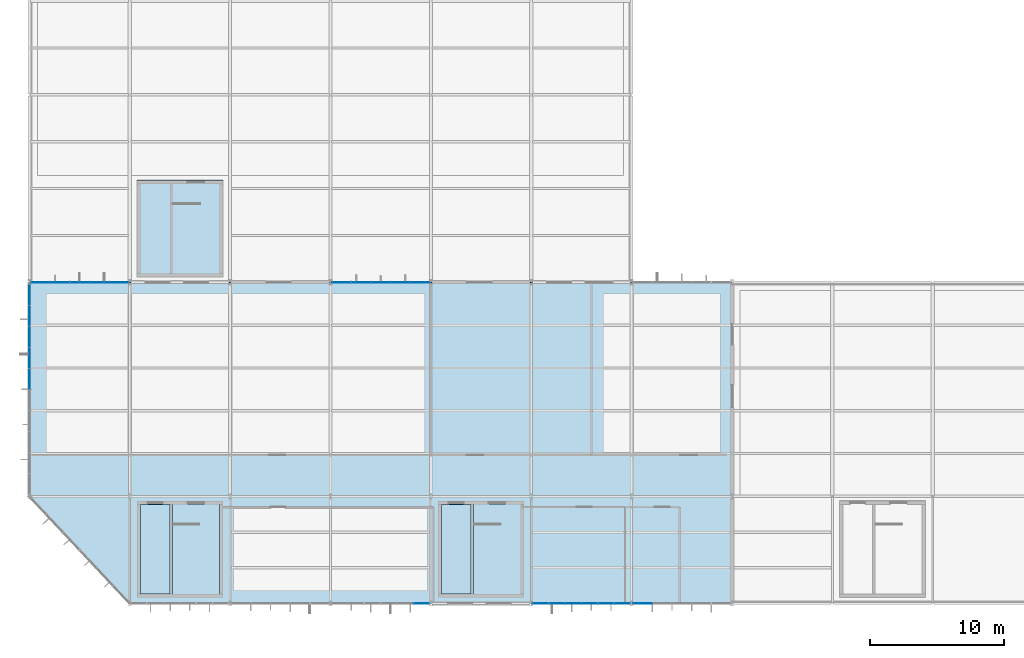
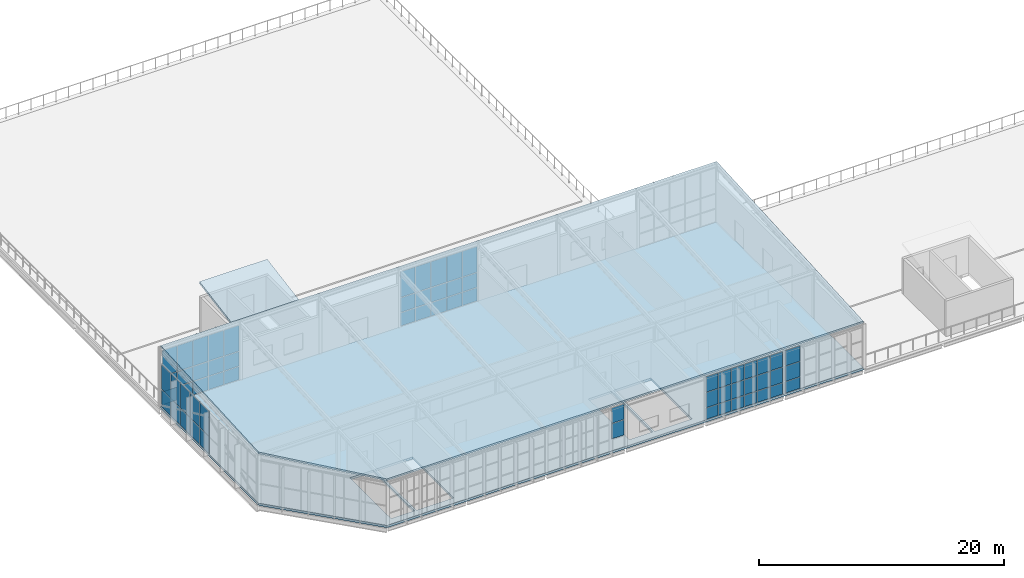
# One storey, part 85 of 104: 63 plates, 3 slabs, 6 elements without a shape of their own.
"""IFC4 building model written with IfcOpenShell, lengths in metres."""

from ifc_helpers import new_model, si_unit, direction, frame, origin, origin_2d, place, context, subcontext, project, spatial, polyline, rectangle, outline, extrude, material, layer, layer_set, type_object, element, aggregate, save


model = new_model("IFC4")

# Units and contexts
model_context = context("Model", 3, precision=1e-05, world=origin(), true_north=direction((0.0, 1.0)))
body_context = subcontext(model_context, "Body", "Model", "MODEL_VIEW")
ifc_project = project(units=[si_unit("LENGTHUNIT", "METRE"), si_unit("AREAUNIT", "SQUARE_METRE"), si_unit("VOLUMEUNIT", "CUBIC_METRE"), si_unit("PLANEANGLEUNIT", "RADIAN"), si_unit("MASSUNIT", "GRAM", prefix="KILO")], contexts=[model_context])

# Site, building, storey
site_placement = place(None, origin())
site = spatial("IfcSite", under=ifc_project, at=site_placement, CompositionType="ELEMENT")
building_placement = place(site_placement, origin())
building = spatial("IfcBuilding", under=site, at=building_placement, Name="Solvenia Promenade Tram Depot", CompositionType="ELEMENT")
storey_placement = place(building_placement, frame((0.0, 0.0, 9.0)))
storey = spatial("IfcBuildingStorey", under=building, at=storey_placement, Name="L02", CompositionType="ELEMENT", Elevation=9.0)

# Curtain wall, plates
ifc_material_1 = material(Name="Anodized aluminium AW-6063 T6", Category="aluminium")
ifc_layer_1 = layer(ifc_material_1, 0.14990234375, Name="Anodized aluminium AW-6063 T6", Category="aluminium")
ifc_layer_set_1 = layer_set([ifc_layer_1], Name="Anodized aluminium AW-6063 T6")
curtain_wall_type_1 = type_object("IfcCurtainWallType", Name="CW-Court-1500", PredefinedType="NOTDEFINED", material=ifc_layer_set_1)
curtain_wall_1_placement = place(storey_placement, origin())
curtain_wall_1 = element("IfcCurtainWall", 1, at=curtain_wall_1_placement, inside=storey, type_object=curtain_wall_type_1, Name="Curtain Wall CW-V4N-L02-01", PredefinedType="NOTDEFINED")
ifc_material_2 = material(Name="Double low-e argon insulated glass", Category="glass")
ifc_layer_2 = layer(ifc_material_2, 0.031982421875, Name="Double low-e argon insulated glass", Category="glass")
ifc_layer_set_2 = layer_set([ifc_layer_2], Name="Double low-e argon insulated glass")
plate_type_1 = type_object("IfcPlateType", Name="CWP-Panel-2", PredefinedType="CURTAIN_PANEL", material=ifc_layer_set_2)
plate_1_placement = place(storey_placement, frame((0.826416015625, 24.0, 0.06494140625), z_axis=(0.0, 0.0, 1.0), x_axis=(1.0, 0.0, 0.0)))
plate_1 = element("IfcPlate", 2, at=plate_1_placement, type_object=plate_type_1, Name="CW-5 panel 1.1", PredefinedType="CURTAIN_PANEL", context=body_context, shape_type="SweptSolid", body=[
    extrude(rectangle(XDim=1.39306640625, YDim=0.031982421875, at=origin_2d()), origin(), (0.0, 0.0, 1.0), 1.302490234375),
])
plate_2_placement = place(storey_placement, frame((0.826416015625, 24.0, 1.432373046875), z_axis=(0.0, 0.0, 1.0), x_axis=(1.0, 0.0, 0.0)))
plate_2 = element("IfcPlate", 3, at=plate_2_placement, type_object=plate_type_1, Name="CW-5 panel 1.2", PredefinedType="CURTAIN_PANEL", context=body_context, shape_type="SweptSolid", body=[
    extrude(rectangle(XDim=1.39306640625, YDim=0.031982421875, at=origin_2d()), origin(), (0.0, 0.0, 1.0), 1.43505859375),
])
plate_3_placement = place(storey_placement, frame((0.826416015625, 24.0, 2.9326171875), z_axis=(0.0, 0.0, 1.0), x_axis=(1.0, 0.0, 0.0)))
plate_3 = element("IfcPlate", 4, at=plate_3_placement, type_object=plate_type_1, Name="CW-5 panel 1.3", PredefinedType="CURTAIN_PANEL", context=body_context, shape_type="SweptSolid", body=[
    extrude(rectangle(XDim=1.39306640625, YDim=0.031982421875, at=origin_2d()), origin(), (0.0, 0.0, 1.0), 2.552490234375),
])
plate_4_placement = place(storey_placement, frame((2.281982421875, 24.0, 0.06494140625), z_axis=(0.0, 0.0, 1.0), x_axis=(1.0, 0.0, 0.0)))
plate_4 = element("IfcPlate", 5, at=plate_4_placement, type_object=plate_type_1, Name="CW-5 panel 2.1", PredefinedType="CURTAIN_PANEL", context=body_context, shape_type="SweptSolid", body=[
    extrude(rectangle(XDim=1.41796875, YDim=0.031982421875, at=origin_2d()), origin(), (0.0, 0.0, 1.0), 1.302490234375),
])
plate_5_placement = place(storey_placement, frame((2.281982421875, 24.0, 1.432373046875), z_axis=(0.0, 0.0, 1.0), x_axis=(1.0, 0.0, 0.0)))
plate_5 = element("IfcPlate", 6, at=plate_5_placement, type_object=plate_type_1, Name="CW-5 panel 2.2", PredefinedType="CURTAIN_PANEL", context=body_context, shape_type="SweptSolid", body=[
    extrude(rectangle(XDim=1.41796875, YDim=0.031982421875, at=origin_2d()), origin(), (0.0, 0.0, 1.0), 1.43505859375),
])
plate_6_placement = place(storey_placement, frame((2.281982421875, 24.0, 2.9326171875), z_axis=(0.0, 0.0, 1.0), x_axis=(1.0, 0.0, 0.0)))
plate_6 = element("IfcPlate", 7, at=plate_6_placement, type_object=plate_type_1, Name="CW-5 panel 2.3", PredefinedType="CURTAIN_PANEL", context=body_context, shape_type="SweptSolid", body=[
    extrude(rectangle(XDim=1.41796875, YDim=0.031982421875, at=origin_2d()), origin(), (0.0, 0.0, 1.0), 2.552490234375),
])
plate_7_placement = place(storey_placement, frame((3.75, 24.0, 0.06494140625), z_axis=(0.0, 0.0, 1.0), x_axis=(1.0, 0.0, 0.0)))
plate_7 = element("IfcPlate", 8, at=plate_7_placement, type_object=plate_type_1, Name="CW-5 panel 3.1", PredefinedType="CURTAIN_PANEL", context=body_context, shape_type="SweptSolid", body=[
    extrude(rectangle(XDim=1.41796875, YDim=0.031982421875, at=origin_2d()), origin(), (0.0, 0.0, 1.0), 1.302490234375),
])
plate_8_placement = place(storey_placement, frame((3.75, 24.0, 1.432373046875), z_axis=(0.0, 0.0, 1.0), x_axis=(1.0, 0.0, 0.0)))
plate_8 = element("IfcPlate", 9, at=plate_8_placement, type_object=plate_type_1, Name="CW-5 panel 3.2", PredefinedType="CURTAIN_PANEL", context=body_context, shape_type="SweptSolid", body=[
    extrude(rectangle(XDim=1.41796875, YDim=0.031982421875, at=origin_2d()), origin(), (0.0, 0.0, 1.0), 1.43505859375),
])
plate_9_placement = place(storey_placement, frame((3.75, 24.0, 2.9326171875), z_axis=(0.0, 0.0, 1.0), x_axis=(1.0, 0.0, 0.0)))
plate_9 = element("IfcPlate", 10, at=plate_9_placement, type_object=plate_type_1, Name="CW-5 panel 3.3", PredefinedType="CURTAIN_PANEL", context=body_context, shape_type="SweptSolid", body=[
    extrude(rectangle(XDim=1.41796875, YDim=0.031982421875, at=origin_2d()), origin(), (0.0, 0.0, 1.0), 2.552490234375),
])
plate_10_placement = place(storey_placement, frame((5.218017578125, 24.0, 0.06494140625), z_axis=(0.0, 0.0, 1.0), x_axis=(1.0, 0.0, 0.0)))
plate_10 = element("IfcPlate", 11, at=plate_10_placement, type_object=plate_type_1, Name="CW-5 panel 4.1", PredefinedType="CURTAIN_PANEL", context=body_context, shape_type="SweptSolid", body=[
    extrude(rectangle(XDim=1.41796875, YDim=0.031982421875, at=origin_2d()), origin(), (0.0, 0.0, 1.0), 1.302490234375),
])
plate_11_placement = place(storey_placement, frame((5.218017578125, 24.0, 1.432373046875), z_axis=(0.0, 0.0, 1.0), x_axis=(1.0, 0.0, 0.0)))
plate_11 = element("IfcPlate", 12, at=plate_11_placement, type_object=plate_type_1, Name="CW-5 panel 4.2", PredefinedType="CURTAIN_PANEL", context=body_context, shape_type="SweptSolid", body=[
    extrude(rectangle(XDim=1.41796875, YDim=0.031982421875, at=origin_2d()), origin(), (0.0, 0.0, 1.0), 1.43505859375),
])
plate_12_placement = place(storey_placement, frame((5.218017578125, 24.0, 2.9326171875), z_axis=(0.0, 0.0, 1.0), x_axis=(1.0, 0.0, 0.0)))
plate_12 = element("IfcPlate", 13, at=plate_12_placement, type_object=plate_type_1, Name="CW-5 panel 4.3", PredefinedType="CURTAIN_PANEL", context=body_context, shape_type="SweptSolid", body=[
    extrude(rectangle(XDim=1.41796875, YDim=0.031982421875, at=origin_2d()), origin(), (0.0, 0.0, 1.0), 2.552490234375),
])
plate_13_placement = place(storey_placement, frame((6.673583984375, 24.0, 0.06494140625), z_axis=(0.0, 0.0, 1.0), x_axis=(1.0, 0.0, 0.0)))
plate_13 = element("IfcPlate", 14, at=plate_13_placement, type_object=plate_type_1, Name="CW-5 panel 5.1", PredefinedType="CURTAIN_PANEL", context=body_context, shape_type="SweptSolid", body=[
    extrude(rectangle(XDim=1.39306640625, YDim=0.031982421875, at=origin_2d()), origin(), (0.0, 0.0, 1.0), 1.302490234375),
])
plate_14_placement = place(storey_placement, frame((6.673583984375, 24.0, 1.432373046875), z_axis=(0.0, 0.0, 1.0), x_axis=(1.0, 0.0, 0.0)))
plate_14 = element("IfcPlate", 15, at=plate_14_placement, type_object=plate_type_1, Name="CW-5 panel 5.2", PredefinedType="CURTAIN_PANEL", context=body_context, shape_type="SweptSolid", body=[
    extrude(rectangle(XDim=1.39306640625, YDim=0.031982421875, at=origin_2d()), origin(), (0.0, 0.0, 1.0), 1.43505859375),
])
plate_15_placement = place(storey_placement, frame((6.673583984375, 24.0, 2.9326171875), z_axis=(0.0, 0.0, 1.0), x_axis=(1.0, 0.0, 0.0)))
plate_15 = element("IfcPlate", 16, at=plate_15_placement, type_object=plate_type_1, Name="CW-5 panel 5.3", PredefinedType="CURTAIN_PANEL", context=body_context, shape_type="SweptSolid", body=[
    extrude(rectangle(XDim=1.39306640625, YDim=0.031982421875, at=origin_2d()), origin(), (0.0, 0.0, 1.0), 2.552490234375),
])
aggregate(curtain_wall_1, [plate_1, plate_2, plate_3, plate_4, plate_5, plate_6, plate_7, plate_8, plate_9, plate_10, plate_11, plate_12, plate_13, plate_14, plate_15])

curtain_wall_2_placement = place(storey_placement, origin())
curtain_wall_2 = element("IfcCurtainWall", 17, at=curtain_wall_2_placement, inside=storey, type_object=curtain_wall_type_1, Name="Curtain Wall CW-V4N-L02-04", PredefinedType="NOTDEFINED")
plate_16_placement = place(storey_placement, frame((23.326416015625, 24.0, 0.06494140625), z_axis=(0.0, 0.0, 1.0), x_axis=(1.0, 0.0, 0.0)))
plate_16 = element("IfcPlate", 18, at=plate_16_placement, type_object=plate_type_1, Name="CW-5 panel 1.1", PredefinedType="CURTAIN_PANEL", context=body_context, shape_type="SweptSolid", body=[
    extrude(rectangle(XDim=1.39306640625, YDim=0.031982421875, at=origin_2d()), origin(), (0.0, 0.0, 1.0), 1.302490234375),
])
plate_17_placement = place(storey_placement, frame((23.326416015625, 24.0, 1.432373046875), z_axis=(0.0, 0.0, 1.0), x_axis=(1.0, 0.0, 0.0)))
plate_17 = element("IfcPlate", 19, at=plate_17_placement, type_object=plate_type_1, Name="CW-5 panel 1.2", PredefinedType="CURTAIN_PANEL", context=body_context, shape_type="SweptSolid", body=[
    extrude(rectangle(XDim=1.39306640625, YDim=0.031982421875, at=origin_2d()), origin(), (0.0, 0.0, 1.0), 1.43505859375),
])
plate_18_placement = place(storey_placement, frame((23.326416015625, 24.0, 2.9326171875), z_axis=(0.0, 0.0, 1.0), x_axis=(1.0, 0.0, 0.0)))
plate_18 = element("IfcPlate", 20, at=plate_18_placement, type_object=plate_type_1, Name="CW-5 panel 1.3", PredefinedType="CURTAIN_PANEL", context=body_context, shape_type="SweptSolid", body=[
    extrude(rectangle(XDim=1.39306640625, YDim=0.031982421875, at=origin_2d()), origin(), (0.0, 0.0, 1.0), 2.552490234375),
])
plate_19_placement = place(storey_placement, frame((24.781982421875, 24.0, 0.06494140625), z_axis=(0.0, 0.0, 1.0), x_axis=(1.0, 0.0, 0.0)))
plate_19 = element("IfcPlate", 21, at=plate_19_placement, type_object=plate_type_1, Name="CW-5 panel 2.1", PredefinedType="CURTAIN_PANEL", context=body_context, shape_type="SweptSolid", body=[
    extrude(rectangle(XDim=1.41796875, YDim=0.031982421875, at=origin_2d()), origin(), (0.0, 0.0, 1.0), 1.302490234375),
])
plate_20_placement = place(storey_placement, frame((24.781982421875, 24.0, 1.432373046875), z_axis=(0.0, 0.0, 1.0), x_axis=(1.0, 0.0, 0.0)))
plate_20 = element("IfcPlate", 22, at=plate_20_placement, type_object=plate_type_1, Name="CW-5 panel 2.2", PredefinedType="CURTAIN_PANEL", context=body_context, shape_type="SweptSolid", body=[
    extrude(rectangle(XDim=1.41796875, YDim=0.031982421875, at=origin_2d()), origin(), (0.0, 0.0, 1.0), 1.43505859375),
])
plate_21_placement = place(storey_placement, frame((24.781982421875, 24.0, 2.9326171875), z_axis=(0.0, 0.0, 1.0), x_axis=(1.0, 0.0, 0.0)))
plate_21 = element("IfcPlate", 23, at=plate_21_placement, type_object=plate_type_1, Name="CW-5 panel 2.3", PredefinedType="CURTAIN_PANEL", context=body_context, shape_type="SweptSolid", body=[
    extrude(rectangle(XDim=1.41796875, YDim=0.031982421875, at=origin_2d()), origin(), (0.0, 0.0, 1.0), 2.552490234375),
])
plate_22_placement = place(storey_placement, frame((26.25, 24.0, 0.06494140625), z_axis=(0.0, 0.0, 1.0), x_axis=(1.0, 0.0, 0.0)))
plate_22 = element("IfcPlate", 24, at=plate_22_placement, type_object=plate_type_1, Name="CW-5 panel 3.1", PredefinedType="CURTAIN_PANEL", context=body_context, shape_type="SweptSolid", body=[
    extrude(rectangle(XDim=1.41796875, YDim=0.031982421875, at=origin_2d()), origin(), (0.0, 0.0, 1.0), 1.302490234375),
])
plate_23_placement = place(storey_placement, frame((26.25, 24.0, 1.432373046875), z_axis=(0.0, 0.0, 1.0), x_axis=(1.0, 0.0, 0.0)))
plate_23 = element("IfcPlate", 25, at=plate_23_placement, type_object=plate_type_1, Name="CW-5 panel 3.2", PredefinedType="CURTAIN_PANEL", context=body_context, shape_type="SweptSolid", body=[
    extrude(rectangle(XDim=1.41796875, YDim=0.031982421875, at=origin_2d()), origin(), (0.0, 0.0, 1.0), 1.43505859375),
])
plate_24_placement = place(storey_placement, frame((26.25, 24.0, 2.9326171875), z_axis=(0.0, 0.0, 1.0), x_axis=(1.0, 0.0, 0.0)))
plate_24 = element("IfcPlate", 26, at=plate_24_placement, type_object=plate_type_1, Name="CW-5 panel 3.3", PredefinedType="CURTAIN_PANEL", context=body_context, shape_type="SweptSolid", body=[
    extrude(rectangle(XDim=1.41796875, YDim=0.031982421875, at=origin_2d()), origin(), (0.0, 0.0, 1.0), 2.552490234375),
])
plate_25_placement = place(storey_placement, frame((27.718017578125, 24.0, 0.06494140625), z_axis=(0.0, 0.0, 1.0), x_axis=(1.0, 0.0, 0.0)))
plate_25 = element("IfcPlate", 27, at=plate_25_placement, type_object=plate_type_1, Name="CW-5 panel 4.1", PredefinedType="CURTAIN_PANEL", context=body_context, shape_type="SweptSolid", body=[
    extrude(rectangle(XDim=1.41796875, YDim=0.031982421875, at=origin_2d()), origin(), (0.0, 0.0, 1.0), 1.302490234375),
])
plate_26_placement = place(storey_placement, frame((27.718017578125, 24.0, 1.432373046875), z_axis=(0.0, 0.0, 1.0), x_axis=(1.0, 0.0, 0.0)))
plate_26 = element("IfcPlate", 28, at=plate_26_placement, type_object=plate_type_1, Name="CW-5 panel 4.2", PredefinedType="CURTAIN_PANEL", context=body_context, shape_type="SweptSolid", body=[
    extrude(rectangle(XDim=1.41796875, YDim=0.031982421875, at=origin_2d()), origin(), (0.0, 0.0, 1.0), 1.43505859375),
])
plate_27_placement = place(storey_placement, frame((27.718017578125, 24.0, 2.9326171875), z_axis=(0.0, 0.0, 1.0), x_axis=(1.0, 0.0, 0.0)))
plate_27 = element("IfcPlate", 29, at=plate_27_placement, type_object=plate_type_1, Name="CW-5 panel 4.3", PredefinedType="CURTAIN_PANEL", context=body_context, shape_type="SweptSolid", body=[
    extrude(rectangle(XDim=1.41796875, YDim=0.031982421875, at=origin_2d()), origin(), (0.0, 0.0, 1.0), 2.552490234375),
])
plate_28_placement = place(storey_placement, frame((29.173583984375, 24.0, 0.06494140625), z_axis=(0.0, 0.0, 1.0), x_axis=(1.0, 0.0, 0.0)))
plate_28 = element("IfcPlate", 30, at=plate_28_placement, type_object=plate_type_1, Name="CW-5 panel 5.1", PredefinedType="CURTAIN_PANEL", context=body_context, shape_type="SweptSolid", body=[
    extrude(rectangle(XDim=1.39306640625, YDim=0.031982421875, at=origin_2d()), origin(), (0.0, 0.0, 1.0), 1.302490234375),
])
plate_29_placement = place(storey_placement, frame((29.173583984375, 24.0, 1.432373046875), z_axis=(0.0, 0.0, 1.0), x_axis=(1.0, 0.0, 0.0)))
plate_29 = element("IfcPlate", 31, at=plate_29_placement, type_object=plate_type_1, Name="CW-5 panel 5.2", PredefinedType="CURTAIN_PANEL", context=body_context, shape_type="SweptSolid", body=[
    extrude(rectangle(XDim=1.39306640625, YDim=0.031982421875, at=origin_2d()), origin(), (0.0, 0.0, 1.0), 1.43505859375),
])
plate_30_placement = place(storey_placement, frame((29.173583984375, 24.0, 2.9326171875), z_axis=(0.0, 0.0, 1.0), x_axis=(1.0, 0.0, 0.0)))
plate_30 = element("IfcPlate", 32, at=plate_30_placement, type_object=plate_type_1, Name="CW-5 panel 5.3", PredefinedType="CURTAIN_PANEL", context=body_context, shape_type="SweptSolid", body=[
    extrude(rectangle(XDim=1.39306640625, YDim=0.031982421875, at=origin_2d()), origin(), (0.0, 0.0, 1.0), 2.552490234375),
])
aggregate(curtain_wall_2, [plate_16, plate_17, plate_18, plate_19, plate_20, plate_21, plate_22, plate_23, plate_24, plate_25, plate_26, plate_27, plate_28, plate_29, plate_30])

ifc_layer_3 = layer(ifc_material_1, 0.179931640625, Name="Anodized aluminium AW-6063 T6", Category="aluminium")
ifc_layer_set_3 = layer_set([ifc_layer_3], Name="Anodized aluminium AW-6063 T6")
curtain_wall_type_2 = type_object("IfcCurtainWallType", Name="CW-Solar-1250", PredefinedType="NOTDEFINED", material=ifc_layer_set_3)
curtain_wall_3_placement = place(storey_placement, origin())
curtain_wall_3 = element("IfcCurtainWall", 33, at=curtain_wall_3_placement, inside=storey, type_object=curtain_wall_type_2, Name="Curtain Wall CW-V4S-L02-03", PredefinedType="NOTDEFINED")
ifc_layer_4 = layer(ifc_material_2, 0.035888671875, Name="Double low-e argon insulated glass", Category="glass")
ifc_layer_set_4 = layer_set([ifc_layer_4], Name="Double low-e argon insulated glass")
plate_type_2 = type_object("IfcPlateType", Name="CWP-Panel-3", PredefinedType="CURTAIN_PANEL", material=ifc_layer_set_4)
plate_31_placement = place(storey_placement, frame((29.29638671875, 0.0, 1.22900390625), z_axis=(0.0, 0.0, 1.0), x_axis=(1.0, 0.0, 0.0)))
plate_31 = element("IfcPlate", 34, at=plate_31_placement, type_object=plate_type_2, Name="CW-6 panel 6.2", PredefinedType="CURTAIN_PANEL", context=body_context, shape_type="SweptSolid", body=[
    extrude(rectangle(XDim=1.1513671875, YDim=0.035888671875, at=origin_2d()), origin(), (0.0, 0.0, 1.0), 1.491943359375),
])
plate_32_placement = place(storey_placement, frame((29.29638671875, 0.0, 2.77880859375), z_axis=(0.0, 0.0, 1.0), x_axis=(1.0, 0.0, 0.0)))
plate_32 = element("IfcPlate", 35, at=plate_32_placement, type_object=plate_type_2, Name="CW-6 panel 6.3", PredefinedType="CURTAIN_PANEL", context=body_context, shape_type="SweptSolid", body=[
    extrude(rectangle(XDim=1.1513671875, YDim=0.035888671875, at=origin_2d()), origin(), (0.0, 0.0, 1.0), 1.512939453125),
])
aggregate(curtain_wall_3, [plate_31, plate_32])

curtain_wall_4_placement = place(storey_placement, origin())
curtain_wall_4 = element("IfcCurtainWall", 36, at=curtain_wall_4_placement, inside=storey, type_object=curtain_wall_type_2, Name="Curtain Wall CW-V4S-L02-05", PredefinedType="NOTDEFINED")
plate_33_placement = place(storey_placement, frame((38.20361328125, 0.0, 0.05810546875), z_axis=(0.0, 0.0, 1.0), x_axis=(1.0, 0.0, 0.0)))
plate_33 = element("IfcPlate", 37, at=plate_33_placement, type_object=plate_type_2, Name="CW-6 panel 1.1", PredefinedType="CURTAIN_PANEL", context=body_context, shape_type="SweptSolid", body=[
    extrude(rectangle(XDim=1.1513671875, YDim=0.035888671875, at=origin_2d()), origin(), (0.0, 0.0, 1.0), 1.113037109375),
])
plate_34_placement = place(storey_placement, frame((38.20361328125, 0.0, 1.22900390625), z_axis=(0.0, 0.0, 1.0), x_axis=(1.0, 0.0, 0.0)))
plate_34 = element("IfcPlate", 38, at=plate_34_placement, type_object=plate_type_2, Name="CW-6 panel 1.2", PredefinedType="CURTAIN_PANEL", context=body_context, shape_type="SweptSolid", body=[
    extrude(rectangle(XDim=1.1513671875, YDim=0.035888671875, at=origin_2d()), origin(), (0.0, 0.0, 1.0), 1.491943359375),
])
plate_35_placement = place(storey_placement, frame((38.20361328125, 0.0, 2.77880859375), z_axis=(0.0, 0.0, 1.0), x_axis=(1.0, 0.0, 0.0)))
plate_35 = element("IfcPlate", 39, at=plate_35_placement, type_object=plate_type_2, Name="CW-6 panel 1.3", PredefinedType="CURTAIN_PANEL", context=body_context, shape_type="SweptSolid", body=[
    extrude(rectangle(XDim=1.1513671875, YDim=0.035888671875, at=origin_2d()), origin(), (0.0, 0.0, 1.0), 1.512939453125),
])
plate_36_placement = place(storey_placement, frame((39.4150390625, 0.0, 0.05810546875), z_axis=(0.0, 0.0, 1.0), x_axis=(1.0, 0.0, 0.0)))
plate_36 = element("IfcPlate", 40, at=plate_36_placement, type_object=plate_type_2, Name="CW-6 panel 2.1", PredefinedType="CURTAIN_PANEL", context=body_context, shape_type="SweptSolid", body=[
    extrude(rectangle(XDim=1.17529296875, YDim=0.035888671875, at=origin_2d()), origin(), (0.0, 0.0, 1.0), 1.113037109375),
])
plate_37_placement = place(storey_placement, frame((39.4150390625, 0.0, 1.22900390625), z_axis=(0.0, 0.0, 1.0), x_axis=(1.0, 0.0, 0.0)))
plate_37 = element("IfcPlate", 41, at=plate_37_placement, type_object=plate_type_2, Name="CW-6 panel 2.2", PredefinedType="CURTAIN_PANEL", context=body_context, shape_type="SweptSolid", body=[
    extrude(rectangle(XDim=1.17529296875, YDim=0.035888671875, at=origin_2d()), origin(), (0.0, 0.0, 1.0), 1.491943359375),
])
plate_38_placement = place(storey_placement, frame((39.4150390625, 0.0, 2.77880859375), z_axis=(0.0, 0.0, 1.0), x_axis=(1.0, 0.0, 0.0)))
plate_38 = element("IfcPlate", 42, at=plate_38_placement, type_object=plate_type_2, Name="CW-6 panel 2.3", PredefinedType="CURTAIN_PANEL", context=body_context, shape_type="SweptSolid", body=[
    extrude(rectangle(XDim=1.17529296875, YDim=0.035888671875, at=origin_2d()), origin(), (0.0, 0.0, 1.0), 1.512939453125),
])
plate_39_placement = place(storey_placement, frame((40.638427734375, 0.0, 0.05810546875), z_axis=(0.0, 0.0, 1.0), x_axis=(1.0, 0.0, 0.0)))
plate_39 = element("IfcPlate", 43, at=plate_39_placement, type_object=plate_type_2, Name="CW-6 panel 3.1", PredefinedType="CURTAIN_PANEL", context=body_context, shape_type="SweptSolid", body=[
    extrude(rectangle(XDim=1.17529296875, YDim=0.035888671875, at=origin_2d()), origin(), (0.0, 0.0, 1.0), 1.113037109375),
])
plate_40_placement = place(storey_placement, frame((40.638427734375, 0.0, 1.22900390625), z_axis=(0.0, 0.0, 1.0), x_axis=(1.0, 0.0, 0.0)))
plate_40 = element("IfcPlate", 44, at=plate_40_placement, type_object=plate_type_2, Name="CW-6 panel 3.2", PredefinedType="CURTAIN_PANEL", context=body_context, shape_type="SweptSolid", body=[
    extrude(rectangle(XDim=1.17529296875, YDim=0.035888671875, at=origin_2d()), origin(), (0.0, 0.0, 1.0), 1.491943359375),
])
plate_41_placement = place(storey_placement, frame((40.638427734375, 0.0, 2.77880859375), z_axis=(0.0, 0.0, 1.0), x_axis=(1.0, 0.0, 0.0)))
plate_41 = element("IfcPlate", 45, at=plate_41_placement, type_object=plate_type_2, Name="CW-6 panel 3.3", PredefinedType="CURTAIN_PANEL", context=body_context, shape_type="SweptSolid", body=[
    extrude(rectangle(XDim=1.17529296875, YDim=0.035888671875, at=origin_2d()), origin(), (0.0, 0.0, 1.0), 1.512939453125),
])
plate_42_placement = place(storey_placement, frame((41.861572265625, 0.0, 0.05810546875), z_axis=(0.0, 0.0, 1.0), x_axis=(1.0, 0.0, 0.0)))
plate_42 = element("IfcPlate", 46, at=plate_42_placement, type_object=plate_type_2, Name="CW-6 panel 4.1", PredefinedType="CURTAIN_PANEL", context=body_context, shape_type="SweptSolid", body=[
    extrude(rectangle(XDim=1.17529296875, YDim=0.035888671875, at=origin_2d()), origin(), (0.0, 0.0, 1.0), 1.113037109375),
])
plate_43_placement = place(storey_placement, frame((41.861572265625, 0.0, 1.22900390625), z_axis=(0.0, 0.0, 1.0), x_axis=(1.0, 0.0, 0.0)))
plate_43 = element("IfcPlate", 47, at=plate_43_placement, type_object=plate_type_2, Name="CW-6 panel 4.2", PredefinedType="CURTAIN_PANEL", context=body_context, shape_type="SweptSolid", body=[
    extrude(rectangle(XDim=1.17529296875, YDim=0.035888671875, at=origin_2d()), origin(), (0.0, 0.0, 1.0), 1.491943359375),
])
plate_44_placement = place(storey_placement, frame((41.861572265625, 0.0, 2.77880859375), z_axis=(0.0, 0.0, 1.0), x_axis=(1.0, 0.0, 0.0)))
plate_44 = element("IfcPlate", 48, at=plate_44_placement, type_object=plate_type_2, Name="CW-6 panel 4.3", PredefinedType="CURTAIN_PANEL", context=body_context, shape_type="SweptSolid", body=[
    extrude(rectangle(XDim=1.17529296875, YDim=0.035888671875, at=origin_2d()), origin(), (0.0, 0.0, 1.0), 1.512939453125),
])
plate_45_placement = place(storey_placement, frame((43.0849609375, 0.0, 0.05810546875), z_axis=(0.0, 0.0, 1.0), x_axis=(1.0, 0.0, 0.0)))
plate_45 = element("IfcPlate", 49, at=plate_45_placement, type_object=plate_type_2, Name="CW-6 panel 5.1", PredefinedType="CURTAIN_PANEL", context=body_context, shape_type="SweptSolid", body=[
    extrude(rectangle(XDim=1.17529296875, YDim=0.035888671875, at=origin_2d()), origin(), (0.0, 0.0, 1.0), 1.113037109375),
])
plate_46_placement = place(storey_placement, frame((43.0849609375, 0.0, 1.22900390625), z_axis=(0.0, 0.0, 1.0), x_axis=(1.0, 0.0, 0.0)))
plate_46 = element("IfcPlate", 50, at=plate_46_placement, type_object=plate_type_2, Name="CW-6 panel 5.2", PredefinedType="CURTAIN_PANEL", context=body_context, shape_type="SweptSolid", body=[
    extrude(rectangle(XDim=1.17529296875, YDim=0.035888671875, at=origin_2d()), origin(), (0.0, 0.0, 1.0), 1.491943359375),
])
plate_47_placement = place(storey_placement, frame((43.0849609375, 0.0, 2.77880859375), z_axis=(0.0, 0.0, 1.0), x_axis=(1.0, 0.0, 0.0)))
plate_47 = element("IfcPlate", 51, at=plate_47_placement, type_object=plate_type_2, Name="CW-6 panel 5.3", PredefinedType="CURTAIN_PANEL", context=body_context, shape_type="SweptSolid", body=[
    extrude(rectangle(XDim=1.17529296875, YDim=0.035888671875, at=origin_2d()), origin(), (0.0, 0.0, 1.0), 1.512939453125),
])
plate_48_placement = place(storey_placement, frame((44.29638671875, 0.0, 0.05810546875), z_axis=(0.0, 0.0, 1.0), x_axis=(1.0, 0.0, 0.0)))
plate_48 = element("IfcPlate", 52, at=plate_48_placement, type_object=plate_type_2, Name="CW-6 panel 6.1", PredefinedType="CURTAIN_PANEL", context=body_context, shape_type="SweptSolid", body=[
    extrude(rectangle(XDim=1.1513671875, YDim=0.035888671875, at=origin_2d()), origin(), (0.0, 0.0, 1.0), 1.113037109375),
])
plate_49_placement = place(storey_placement, frame((44.29638671875, 0.0, 1.22900390625), z_axis=(0.0, 0.0, 1.0), x_axis=(1.0, 0.0, 0.0)))
plate_49 = element("IfcPlate", 53, at=plate_49_placement, type_object=plate_type_2, Name="CW-6 panel 6.2", PredefinedType="CURTAIN_PANEL", context=body_context, shape_type="SweptSolid", body=[
    extrude(rectangle(XDim=1.1513671875, YDim=0.035888671875, at=origin_2d()), origin(), (0.0, 0.0, 1.0), 1.491943359375),
])
plate_50_placement = place(storey_placement, frame((44.29638671875, 0.0, 2.77880859375), z_axis=(0.0, 0.0, 1.0), x_axis=(1.0, 0.0, 0.0)))
plate_50 = element("IfcPlate", 54, at=plate_50_placement, type_object=plate_type_2, Name="CW-6 panel 6.3", PredefinedType="CURTAIN_PANEL", context=body_context, shape_type="SweptSolid", body=[
    extrude(rectangle(XDim=1.1513671875, YDim=0.035888671875, at=origin_2d()), origin(), (0.0, 0.0, 1.0), 1.512939453125),
])
aggregate(curtain_wall_4, [plate_33, plate_34, plate_35, plate_36, plate_37, plate_38, plate_39, plate_40, plate_41, plate_42, plate_43, plate_44, plate_45, plate_46, plate_47, plate_48, plate_49, plate_50])

ifc_layer_5 = layer(ifc_material_1, 0.179931640625, Name="Anodized aluminium AW-6063 T6", Category="aluminium")
ifc_layer_set_5 = layer_set([ifc_layer_5], Name="Anodized aluminium AW-6063 T6")
curtain_wall_type_3 = type_object("IfcCurtainWallType", Name="CW-Solar-1500", PredefinedType="NOTDEFINED", material=ifc_layer_set_5)
curtain_wall_5_placement = place(storey_placement, origin())
curtain_wall_5 = element("IfcCurtainWall", 55, at=curtain_wall_5_placement, inside=storey, type_object=curtain_wall_type_3, Name="Curtain Wall CW-V4S-L02-06", PredefinedType="NOTDEFINED")
plate_51_placement = place(storey_placement, frame((45.825927734375, 0.0, 0.05810546875), z_axis=(0.0, 0.0, 1.0), x_axis=(1.0, 0.0, 0.0)))
plate_51 = element("IfcPlate", 56, at=plate_51_placement, type_object=plate_type_2, Name="CW-7 panel 1.1", PredefinedType="CURTAIN_PANEL", context=body_context, shape_type="SweptSolid", body=[
    extrude(rectangle(XDim=1.39599609375, YDim=0.035888671875, at=origin_2d()), origin(), (0.0, 0.0, 1.0), 1.113037109375),
])
plate_52_placement = place(storey_placement, frame((45.825927734375, 0.0, 1.22900390625), z_axis=(0.0, 0.0, 1.0), x_axis=(1.0, 0.0, 0.0)))
plate_52 = element("IfcPlate", 57, at=plate_52_placement, type_object=plate_type_2, Name="CW-7 panel 1.2", PredefinedType="CURTAIN_PANEL", context=body_context, shape_type="SweptSolid", body=[
    extrude(rectangle(XDim=1.39599609375, YDim=0.035888671875, at=origin_2d()), origin(), (0.0, 0.0, 1.0), 1.491943359375),
])
plate_53_placement = place(storey_placement, frame((45.825927734375, 0.0, 2.77880859375), z_axis=(0.0, 0.0, 1.0), x_axis=(1.0, 0.0, 0.0)))
plate_53 = element("IfcPlate", 58, at=plate_53_placement, type_object=plate_type_2, Name="CW-7 panel 1.3", PredefinedType="CURTAIN_PANEL", context=body_context, shape_type="SweptSolid", body=[
    extrude(rectangle(XDim=1.39599609375, YDim=0.035888671875, at=origin_2d()), origin(), (0.0, 0.0, 1.0), 1.512939453125),
])
aggregate(curtain_wall_5, [plate_51, plate_52, plate_53])

curtain_wall_6_placement = place(storey_placement, origin())
curtain_wall_6 = element("IfcCurtainWall", 59, at=curtain_wall_6_placement, inside=storey, type_object=curtain_wall_type_3, Name="Curtain Wall CW-V4W-L02", PredefinedType="NOTDEFINED")
plate_54_placement = place(storey_placement, frame((0.0, 16.784912109375, 0.05810546875), z_axis=(0.0, 0.0, 1.0), x_axis=(0.0, 1.0, 0.0)))
plate_54 = element("IfcPlate", 60, at=plate_54_placement, type_object=plate_type_2, Name="CW-7 panel 6.1", PredefinedType="CURTAIN_PANEL", context=body_context, shape_type="SweptSolid", body=[
    extrude(rectangle(XDim=1.52197265625, YDim=0.035888671875, at=origin_2d()), origin(), (0.0, 0.0, 1.0), 1.712890625),
])
plate_55_placement = place(storey_placement, frame((0.0, 16.784912109375, 1.8291015625), z_axis=(0.0, 0.0, 1.0), x_axis=(0.0, 1.0, 0.0)))
plate_55 = element("IfcPlate", 61, at=plate_55_placement, type_object=plate_type_2, Name="CW-7 panel 6.2", PredefinedType="CURTAIN_PANEL", context=body_context, shape_type="SweptSolid", body=[
    extrude(rectangle(XDim=1.52197265625, YDim=0.035888671875, at=origin_2d()), origin(), (0.0, 0.0, 1.0), 2.462890625),
])
plate_56_placement = place(storey_placement, frame((0.0, 18.35498046875, 0.05810546875), z_axis=(0.0, 0.0, 1.0), x_axis=(0.0, 1.0, 0.0)))
plate_56 = element("IfcPlate", 62, at=plate_56_placement, type_object=plate_type_2, Name="CW-7 panel 7.1", PredefinedType="CURTAIN_PANEL", context=body_context, shape_type="SweptSolid", body=[
    extrude(rectangle(XDim=1.52197265625, YDim=0.035888671875, at=origin_2d()), origin(), (0.0, 0.0, 1.0), 1.712890625),
])
plate_57_placement = place(storey_placement, frame((0.0, 18.35498046875, 1.8291015625), z_axis=(0.0, 0.0, 1.0), x_axis=(0.0, 1.0, 0.0)))
plate_57 = element("IfcPlate", 63, at=plate_57_placement, type_object=plate_type_2, Name="CW-7 panel 7.2", PredefinedType="CURTAIN_PANEL", context=body_context, shape_type="SweptSolid", body=[
    extrude(rectangle(XDim=1.52197265625, YDim=0.035888671875, at=origin_2d()), origin(), (0.0, 0.0, 1.0), 2.462890625),
])
plate_58_placement = place(storey_placement, frame((0.0, 19.925048828125, 0.05810546875), z_axis=(0.0, 0.0, 1.0), x_axis=(0.0, 1.0, 0.0)))
plate_58 = element("IfcPlate", 64, at=plate_58_placement, type_object=plate_type_2, Name="CW-7 panel 8.1", PredefinedType="CURTAIN_PANEL", context=body_context, shape_type="SweptSolid", body=[
    extrude(rectangle(XDim=1.52197265625, YDim=0.035888671875, at=origin_2d()), origin(), (0.0, 0.0, 1.0), 1.712890625),
])
plate_59_placement = place(storey_placement, frame((0.0, 19.925048828125, 1.8291015625), z_axis=(0.0, 0.0, 1.0), x_axis=(0.0, 1.0, 0.0)))
plate_59 = element("IfcPlate", 65, at=plate_59_placement, type_object=plate_type_2, Name="CW-7 panel 8.2", PredefinedType="CURTAIN_PANEL", context=body_context, shape_type="SweptSolid", body=[
    extrude(rectangle(XDim=1.52197265625, YDim=0.035888671875, at=origin_2d()), origin(), (0.0, 0.0, 1.0), 2.462890625),
])
plate_60_placement = place(storey_placement, frame((0.0, 21.4951171875, 0.05810546875), z_axis=(0.0, 0.0, 1.0), x_axis=(0.0, 1.0, 0.0)))
plate_60 = element("IfcPlate", 66, at=plate_60_placement, type_object=plate_type_2, Name="CW-7 panel 9.1", PredefinedType="CURTAIN_PANEL", context=body_context, shape_type="SweptSolid", body=[
    extrude(rectangle(XDim=1.52197265625, YDim=0.035888671875, at=origin_2d()), origin(), (0.0, 0.0, 1.0), 1.712890625),
])
plate_61_placement = place(storey_placement, frame((0.0, 21.4951171875, 1.8291015625), z_axis=(0.0, 0.0, 1.0), x_axis=(0.0, 1.0, 0.0)))
plate_61 = element("IfcPlate", 67, at=plate_61_placement, type_object=plate_type_2, Name="CW-7 panel 9.2", PredefinedType="CURTAIN_PANEL", context=body_context, shape_type="SweptSolid", body=[
    extrude(rectangle(XDim=1.52197265625, YDim=0.035888671875, at=origin_2d()), origin(), (0.0, 0.0, 1.0), 2.462890625),
])
plate_62_placement = place(storey_placement, frame((0.0, 23.052978515625, 0.05810546875), z_axis=(0.0, 0.0, 1.0), x_axis=(0.0, 1.0, 0.0)))
plate_62 = element("IfcPlate", 68, at=plate_62_placement, type_object=plate_type_2, Name="CW-7 panel 10.1", PredefinedType="CURTAIN_PANEL", context=body_context, shape_type="SweptSolid", body=[
    extrude(rectangle(XDim=1.498046875, YDim=0.035888671875, at=origin_2d()), origin(), (0.0, 0.0, 1.0), 1.712890625),
])
plate_63_placement = place(storey_placement, frame((0.0, 23.052978515625, 1.8291015625), z_axis=(0.0, 0.0, 1.0), x_axis=(0.0, 1.0, 0.0)))
plate_63 = element("IfcPlate", 69, at=plate_63_placement, type_object=plate_type_2, Name="CW-7 panel 10.2", PredefinedType="CURTAIN_PANEL", context=body_context, shape_type="SweptSolid", body=[
    extrude(rectangle(XDim=1.498046875, YDim=0.035888671875, at=origin_2d()), origin(), (0.0, 0.0, 1.0), 2.462890625),
])
aggregate(curtain_wall_6, [plate_54, plate_55, plate_56, plate_57, plate_58, plate_59, plate_60, plate_61, plate_62, plate_63])

# Slabs
ifc_material_3 = material(Name="Concrete C28/35", Category="concrete")
ifc_layer_6 = layer(ifc_material_3, 0.2099609375, Name="Concrete C28/35", Category="concrete")
ifc_layer_set_6 = layer_set([ifc_layer_6], Name="Concrete C28/35")
slab_type_1 = type_object("IfcSlabType", Name="Slab-CoreCap-210", PredefinedType="ROOF", material=ifc_layer_set_6)
slab_1_placement = place(storey_placement, frame((8.050048828125, 24.39990234375, 3.7451171875), z_axis=(0.0, -0.171696410246, 0.985149908749), x_axis=(1.0, 0.0, 0.0)))
element("IfcSlab", 70, at=slab_1_placement, inside=storey, type_object=slab_type_1, Name="Core C7 Sloped Head-House Roof", PredefinedType="ROOF", context=body_context, shape_type="SweptSolid", body=[
    extrude(outline(polyline([(0.0, 0.0), (6.39990234375, 0.0), (6.39990234375, 7.308730629271741), (0.0, 7.308730629271741), (0.0, 0.0)])), origin(), (0.0, 0.0, -1.0), 0.2099609375),
])
ifc_layer_7 = layer(ifc_material_3, 0.219970703125, Name="Concrete C28/35", Category="concrete")
ifc_layer_set_7 = layer_set([ifc_layer_7], Name="Concrete C28/35")
slab_type_2 = type_object("IfcSlabType", Name="Slab-Floor-220", PredefinedType="FLOOR", material=ifc_layer_set_7)
slab_2_placement = place(storey_placement, frame((0.0, 0.0, -0.219970703125)))
element("IfcSlab", 71, at=slab_2_placement, inside=storey, type_object=slab_type_2, Name="L02 V4 Structural Slab", PredefinedType="FLOOR", context=body_context, shape_type="SweptSolid", body=[
    extrude(outline(polyline([(7.5, 0.0), (52.5, 0.0), (52.5, 24.0), (0.0, 24.0), (0.0, 8.0), (7.5, 0.0)]), holes=[polyline([(8.300048828125, 7.39990234375), (10.5, 7.39990234375), (10.5, 0.699951171875), (8.300048828125, 0.699951171875), (8.300048828125, 7.39990234375)]), polyline([(10.679931640625, 7.419921875), (14.219970703125, 7.419921875), (14.219970703125, 0.679931640625), (10.679931640625, 0.679931640625), (10.679931640625, 7.419921875)]), polyline([(30.800048828125, 7.39990234375), (33.0, 7.39990234375), (33.0, 0.699951171875), (30.800048828125, 0.699951171875), (30.800048828125, 7.39990234375)]), polyline([(33.179931640625, 7.419921875), (36.719970703125, 7.419921875), (36.719970703125, 0.679931640625), (33.179931640625, 0.679931640625), (33.179931640625, 7.419921875)])]), origin(), (0.0, 0.0, 1.0), 0.219970703125),
])
ifc_layer_8 = layer(ifc_material_3, 0.18994140625, Name="Concrete C28/35", Category="concrete")
ifc_layer_set_8 = layer_set([ifc_layer_8], Name="Concrete C28/35")
slab_type_3 = type_object("IfcSlabType", Name="Slab-Fold-190", PredefinedType="ROOF", material=ifc_layer_set_8)
slab_3_placement = place(storey_placement, frame((7.5, 0.0, 4.64990234375), z_axis=(7.92606e-07, -0.058240163862, 0.998302601075), x_axis=(1.0, 4.6161e-08, -7.9126e-07)))
element("IfcSlab", 72, at=slab_3_placement, inside=storey, type_object=slab_type_3, Name="Drivers Wing Swept Folded Roof", PredefinedType="ROOF", context=body_context, shape_type="SweptSolid", body=[
    extrude(outline(polyline([(0.0, 0.0), (44.99999999998587, 0.0), (44.999999999981156, 24.040807186483413), (-7.500000000002356, 24.040807186483413), (-7.500000000063608, 8.013607135091139), (0.0, 0.0)])), origin(), (0.0, 0.0, -1.0), 0.18994140625),
])

save(model, "model.ifc")
